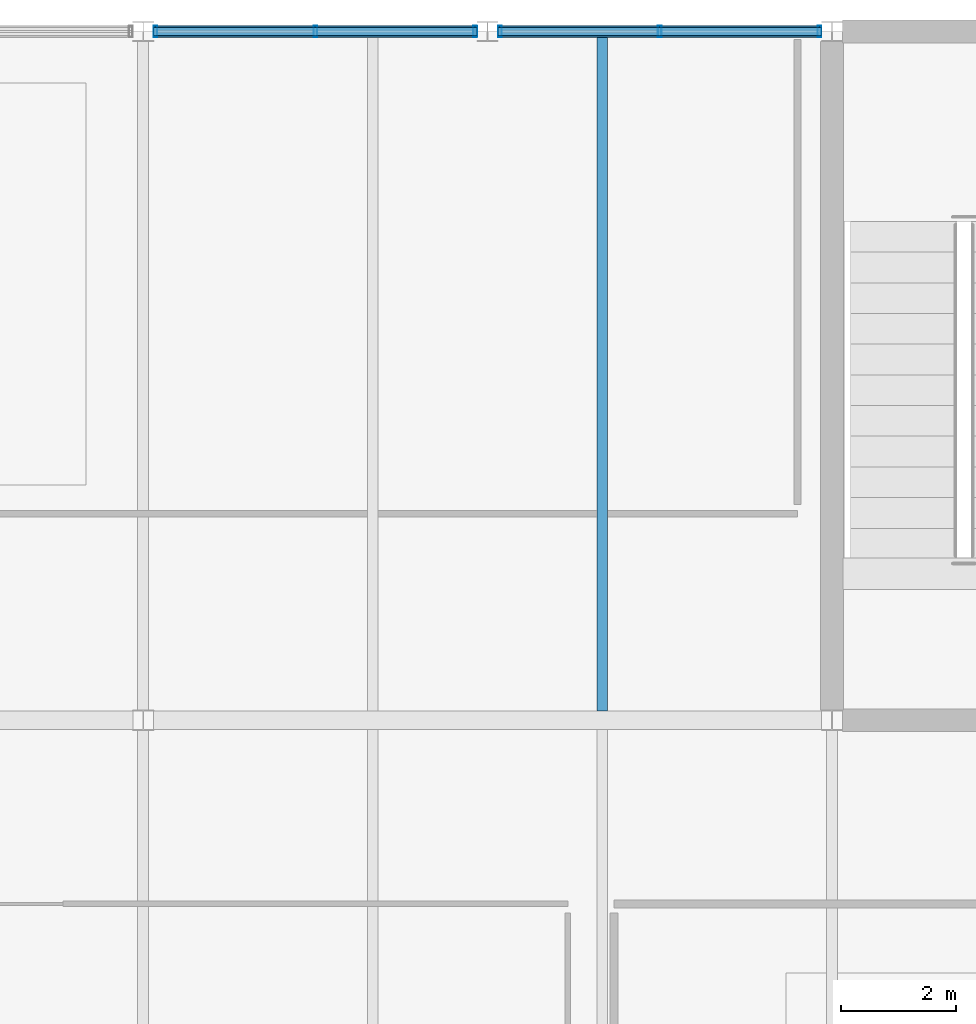
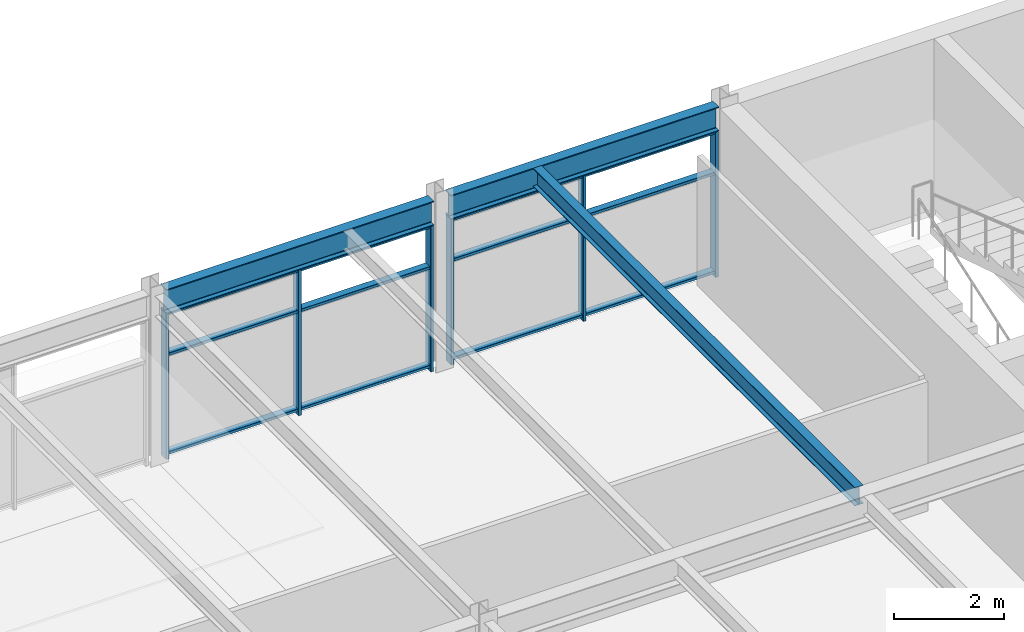
# One storey, part 17 of 23: 12 members, 3 beams, 2 elements without a shape of their own.
"""IFC4 building model written with IfcOpenShell, lengths in metres."""

import ifcopenshell
import ifcopenshell.guid

model = None  # the IFC model being written
_history = None  # IfcOwnerHistory: only IFC2X3 demands one
_inside = {}  # id of a spatial element -> (the spatial element, [elements in it])
_under = {}  # id of a project, library or spatial element -> (it, [spatial elements below it])
_declared = {}  # id of a project -> (the project, [libraries it declares])
_typed = {}  # id of a type object -> (the type object, [elements of that type])
_made_of = {}  # id of a material, layer set ... -> (it, [elements and type objects made of it])


def new_model(schema):
    """Start an empty IFC model of exactly this schema.

    Asked for "IFC4X3", IfcOpenShell would pick the latest addendum, in which some entities
    have other attributes; the version numbers below select the first issue.
    IFC2X3 requires an IfcOwnerHistory on every rooted entity: one is made here for all.
    """
    global model, _history
    if schema == "IFC4X3":
        model = ifcopenshell.file(schema_version=(4, 3, 0, 0))
    else:
        model = ifcopenshell.file(schema=schema)
    _inside.clear()
    _under.clear()
    _declared.clear()
    _typed.clear()
    _made_of.clear()
    _history = None
    if model.schema == "IFC2X3":
        org = make("IfcOrganization", Name="unknown")
        user = make(
            "IfcPersonAndOrganization",
            ThePerson=make("IfcPerson", FamilyName="unknown"),
            TheOrganization=org,
        )
        app = make(
            "IfcApplication",
            ApplicationDeveloper=org,
            Version="unknown",
            ApplicationFullName="unknown",
            ApplicationIdentifier="unknown",
        )
        _history = make(
            "IfcOwnerHistory",
            OwningUser=user,
            OwningApplication=app,
            ChangeAction="ADDED",
            CreationDate=0,
        )
    return model


def make(cls, **values):
    """One entity of the class cls with the attributes given. An attribute that is None is left unset."""
    return model.create_entity(
        cls, **{name: value for name, value in values.items() if value is not None}
    )


def rooted(cls, **values):
    """An entity with a GlobalId (a new one), such as an element, a storey or a relation."""
    return make(cls, GlobalId=ifcopenshell.guid.new(), OwnerHistory=_history, **values)


def si_unit(unit_type, name, prefix=None):
    """IfcSIUnit, for example si_unit("LENGTHUNIT", "METRE", prefix="MILLI")."""
    return make("IfcSIUnit", UnitType=unit_type, Prefix=prefix, Name=name)


def assignment(units):
    """IfcUnitAssignment: the units of a project."""
    return None if units is None else make("IfcUnitAssignment", Units=units)


def point(xyz):
    """IfcCartesianPoint."""
    return None if xyz is None else make("IfcCartesianPoint", Coordinates=xyz)


def direction(xyz):
    """IfcDirection."""
    return None if xyz is None else make("IfcDirection", DirectionRatios=xyz)


def frame(location, z_axis=None, x_axis=None):
    """IfcAxis2Placement3D, a coordinate frame: its origin and axes. An axis left out is left unset."""
    return make(
        "IfcAxis2Placement3D",
        Location=point(location),
        Axis=direction(z_axis),
        RefDirection=direction(x_axis),
    )


def frame_2d(location, x_axis=None):
    """IfcAxis2Placement2D, a coordinate frame in the plane: its origin and x axis."""
    return make(
        "IfcAxis2Placement2D", Location=point(location), RefDirection=direction(x_axis)
    )


def origin():
    """The frame at (0, 0, 0) with its axes left unset."""
    return frame((0.0, 0.0, 0.0))


def origin_2d():
    """The frame at (0, 0) in the plane with its x axis left unset."""
    return frame_2d((0.0, 0.0))


def place(relative_to, where):
    """IfcLocalPlacement: puts the frame where relative to a parent placement (None: the world)."""
    return make(
        "IfcLocalPlacement", PlacementRelTo=relative_to, RelativePlacement=where
    )


def context(
    kind, dimensions, precision=None, world=None, true_north=None, identifier=None
):
    """IfcGeometricRepresentationContext, for example the 3D "Model" context."""
    return make(
        "IfcGeometricRepresentationContext",
        ContextIdentifier=identifier,
        ContextType=kind,
        CoordinateSpaceDimension=dimensions,
        Precision=precision,
        WorldCoordinateSystem=world,
        TrueNorth=true_north,
    )


def subcontext(parent, identifier, kind, view, scale=None):
    """IfcGeometricRepresentationSubContext, for example "Body" below "Model"."""
    return make(
        "IfcGeometricRepresentationSubContext",
        ContextIdentifier=identifier,
        ContextType=kind,
        ParentContext=parent,
        TargetScale=scale,
        TargetView=view,
    )


def project(units=None, contexts=None):
    """IfcProject with its units and contexts."""
    return rooted(
        "IfcProject",
        Name="project",
        RepresentationContexts=contexts,
        UnitsInContext=assignment(units),
    )


def spatial(cls, under=None, at=None, **own):
    """A site, building, storey or space (cls), placed at a placement, below another one or the project."""
    s = rooted(cls, ObjectPlacement=at, **own)
    if under is not None:
        _under.setdefault(under.id(), (under, []))[1].append(s)
    return s


def profile(cls, at=None, kind="AREA", **sizes):
    """A parametric profile (cls). Its sizes go by their IFC names, for example OverallWidth=200.0."""
    return make(cls, ProfileType=kind, Position=at, **sizes)


def hollow_rectangle(**sizes):
    """IfcRectangleHollowProfileDef."""
    return profile("IfcRectangleHollowProfileDef", **sizes)


def i_section(**sizes):
    """IfcIShapeProfileDef."""
    return profile("IfcIShapeProfileDef", **sizes)


def extrude(swept, where, along, depth):
    """IfcExtrudedAreaSolid: the profile swept, set in the frame where, extruded along a direction by depth."""
    return make(
        "IfcExtrudedAreaSolid",
        SweptArea=swept,
        Position=where,
        ExtrudedDirection=direction(along),
        Depth=depth,
    )


def shape(context_of_items, identifier, shape_type, items):
    """IfcShapeRepresentation: the items that make up one representation, for example the "Body"."""
    return make(
        "IfcShapeRepresentation",
        ContextOfItems=context_of_items,
        RepresentationIdentifier=identifier,
        RepresentationType=shape_type,
        Items=items,
    )


def material(Name=None, Category=None):
    """IfcMaterial."""
    return make("IfcMaterial", Name=Name, Category=Category)


def material_profile(
    of_material, cross_section, Name=None, Category=None, Priority=None
):
    """IfcMaterialProfile: a cross section and its material."""
    return make(
        "IfcMaterialProfile",
        Name=Name,
        Material=of_material,
        Profile=cross_section,
        Priority=Priority,
        Category=Category,
    )


def profile_set(profiles, Name=None, composite=None):
    """IfcMaterialProfileSet."""
    return make(
        "IfcMaterialProfileSet",
        Name=Name,
        MaterialProfiles=profiles,
        CompositeProfile=composite,
    )


def made_of(thing, what):
    """Note that an element or type object is made of a material, layer set ...; save() writes the relation."""
    if what is not None:
        _made_of.setdefault(what.id(), (what, []))[1].append(thing)
    return thing


def type_object(cls, material=None, **own):
    """A type object (cls), such as IfcWallType, which elements share."""
    return made_of(rooted(cls, **own), material)


def element(
    cls,
    number,
    at=None,
    inside=None,
    cuts=None,
    type_object=None,
    material=None,
    context=None,
    identifier="Body",
    shape_type=None,
    held_by="IfcProductDefinitionShape",
    body=None,
    shapes=None,
    **own,
):
    """One element of the class cls, such as IfcWall. Its Tag is "e" and its number.

    at: its placement. inside: the storey or other place that contains it. cuts: it is an
    opening in that element (IfcRelVoidsElement). A single representation is given by context,
    identifier, shape_type and body (its items); several are given by shapes. held_by: the class
    of the entity that holds the representations. save() writes the other relations.
    """
    e = rooted(cls, Tag="e%d" % number, ObjectPlacement=at, **own)
    if body is not None:
        shapes = [shape(context, identifier, shape_type, body)]
    if shapes is not None:
        e.Representation = make(held_by, Representations=shapes)
    if inside is not None:
        _inside.setdefault(inside.id(), (inside, []))[1].append(e)
    if cuts is not None:
        rooted(
            "IfcRelVoidsElement", RelatingBuildingElement=cuts, RelatedOpeningElement=e
        )
    if type_object is not None:
        _typed.setdefault(type_object.id(), (type_object, []))[1].append(e)
    return made_of(e, material)


def aggregate(whole, parts):
    """IfcRelAggregates: a whole, such as a stair, and the parts it consists of."""
    return rooted("IfcRelAggregates", RelatingObject=whole, RelatedObjects=parts)


def save(model, path):
    """Write the relations noted so far, then the file.

    IfcRelAggregates (storeys below a building ...), IfcRelContainedInSpatialStructure (elements
    in a storey), IfcRelDefinesByType, IfcRelAssociatesMaterial and IfcRelDeclares: one each for
    every whole, place, type object, material and project.
    """
    for whole, parts in _under.values():
        aggregate(whole, parts)
    for where, things in _inside.values():
        rooted(
            "IfcRelContainedInSpatialStructure",
            RelatedElements=things,
            RelatingStructure=where,
        )
    for kind, things in _typed.values():
        rooted("IfcRelDefinesByType", RelatedObjects=things, RelatingType=kind)
    for what, things in _made_of.values():
        rooted("IfcRelAssociatesMaterial", RelatedObjects=things, RelatingMaterial=what)
    for by, libraries in _declared.values():
        rooted("IfcRelDeclares", RelatingContext=by, RelatedDefinitions=libraries)
    model.write(path)


model = new_model("IFC4")

# Units and contexts
model_context = context("Model", 3, precision=1e-05, world=origin(), true_north=direction((0.0, 1.0)))
body_context = subcontext(model_context, "Body", "Model", "MODEL_VIEW")
ifc_project = project(units=[si_unit("LENGTHUNIT", "METRE"), si_unit("AREAUNIT", "SQUARE_METRE"), si_unit("VOLUMEUNIT", "CUBIC_METRE"), si_unit("PLANEANGLEUNIT", "RADIAN"), si_unit("MASSUNIT", "GRAM", prefix="KILO")], contexts=[model_context])

# Site, building, storey
site_placement = place(None, origin())
site = spatial("IfcSite", under=ifc_project, at=site_placement, CompositionType="ELEMENT")
building_placement = place(site_placement, origin())
building = spatial("IfcBuilding", under=site, at=building_placement, Name="Girod Span Mobility Hub", CompositionType="ELEMENT")
storey_placement = place(building_placement, frame((0.0, 0.0, 65.60009765625)))
storey = spatial("IfcBuildingStorey", under=building, at=storey_placement, Name="L16", CompositionType="ELEMENT", Elevation=65.60009765625)

# Beams
ifc_material_1 = material(Name="Steel A992 Grade 50", Category="steel")
ifc_material_profile_1 = material_profile(ifc_material_1, i_section(OverallWidth=0.178955078125, OverallDepth=0.409912109375, WebThickness=0.0087890625, FlangeThickness=0.014404296875, FilletRadius=0.012939453125, at=origin_2d()), Name="W16X45")
ifc_profile_set_1 = profile_set([ifc_material_profile_1], Name="Steel A992 Grade 50")
beam_type_1 = type_object("IfcBeamType", Name="BM-STL-W16X45", PredefinedType="BEAM", material=ifc_profile_set_1)
beam_placement = place(storey_placement, frame((104.0, 57.158935546875, 3.5849609375), z_axis=(0.0, 1.0, 0.0), x_axis=(-1.0, 0.0, 0.0)))
element("IfcBeam", 1, at=beam_placement, inside=storey, type_object=beam_type_1, Name="Composite Floorbeam 9/E-2 L16", PredefinedType="BEAM", context=body_context, shape_type="SweptSolid", body=[
    extrude(i_section(OverallWidth=0.178955078125, OverallDepth=0.409912109375, WebThickness=0.0087890625, FlangeThickness=0.014404296875, FilletRadius=0.012939453125, at=origin_2d()), origin(), (0.0, 0.0, 1.0), 11.738037109375),
])
ifc_material_2 = material(Name="Steel A992 Grade 50", Category="steel")
ifc_material_profile_2 = material_profile(ifc_material_2, i_section(OverallWidth=0.2119140625, OverallDepth=0.5439453125, WebThickness=0.01318359375, FlangeThickness=0.021240234375, FilletRadius=0.014892578125, at=origin_2d()), Name="W21X83")
ifc_profile_set_2 = profile_set([ifc_material_profile_2], Name="Steel A992 Grade 50")
beam_type_2 = type_object("IfcBeamType", Name="BM-STL-W21X83", PredefinedType="SPANDREL", material=ifc_profile_set_2)
for number, where, z_axis, x_axis, name in (
    (2, (96.181396484375, 69.0, 3.517822265625), (1.0, 0.0, 0.0), (0.0, 1.0, 0.0), "Spandrel Beam 9-10/F-W L16"),
    (3, (102.181396484375, 69.0, 3.517822265625), (1.0, 0.0, 0.0), (0.0, 1.0, 0.0), "Spandrel Beam 9-10/F-E L16"),
):
    element("IfcBeam", number, at=place(storey_placement, frame(where, z_axis=z_axis, x_axis=x_axis)), inside=storey, type_object=beam_type_2, Name=name, PredefinedType="SPANDREL", context=body_context, shape_type="SweptSolid", body=[
        extrude(i_section(OverallWidth=0.2119140625, OverallDepth=0.5439453125, WebThickness=0.01318359375, FlangeThickness=0.021240234375, FilletRadius=0.014892578125, at=origin_2d()), origin(), (0.0, 0.0, 1.0), 5.63720703125),
    ])

# Curtain wall, members
ifc_material_3 = material(Name="Thermally Broken Anodised Aluminium", Category="aluminium")
curtain_wall_type = type_object("IfcCurtainWallType", Name="CW-564X325", PredefinedType="USERDEFINED", material=ifc_material_3)
curtain_wall_1_placement = place(storey_placement, origin())
curtain_wall_1 = element("IfcCurtainWall", 4, at=curtain_wall_1_placement, inside=storey, type_object=curtain_wall_type, Name="Unitised Curtain Wall CW-L16-N09W L16", ObjectType="UNITISED CURTAIN WALL", PredefinedType="USERDEFINED")
ifc_material_4 = material(Name="Thermally Broken Anodised Aluminium", Category="aluminium")
ifc_material_profile_3 = material_profile(ifc_material_4, hollow_rectangle(XDim=0.199951171875, YDim=0.06494140625, WallThickness=0.00390625, InnerFilletRadius=0.00390625, OuterFilletRadius=0.008056640625, at=origin_2d()), Name="CW-ML-65X200")
ifc_profile_set_3 = profile_set([ifc_material_profile_3], Name="Thermally Broken Anodised Aluminium")
member_type_1 = type_object("IfcMemberType", Name="CWM-ML-1", PredefinedType="MULLION", material=ifc_profile_set_3)
member_1_placement = place(storey_placement, frame((96.214599609375, 69.0, 0.0), z_axis=(0.0, 0.0, 1.0), x_axis=(0.0, 1.0, 0.0)))
member_1 = element("IfcMember", 5, at=member_1_placement, type_object=member_type_1, Name="Curtain Wall Mullion CW-L16-N09W-M0", PredefinedType="MULLION", context=body_context, shape_type="SweptSolid", body=[
    extrude(hollow_rectangle(XDim=0.199951171875, YDim=0.06494140625, WallThickness=0.00390625, InnerFilletRadius=0.00390625, OuterFilletRadius=0.008056640625, at=origin_2d()), origin(), (0.0, 0.0, 1.0), 3.245849609375),
])
member_2_placement = place(storey_placement, frame((99.0, 69.0, 0.0), z_axis=(0.0, 0.0, 1.0), x_axis=(0.0, 1.0, 0.0)))
member_2 = element("IfcMember", 6, at=member_2_placement, type_object=member_type_1, Name="Curtain Wall Mullion CW-L16-N09W-M1", PredefinedType="MULLION", context=body_context, shape_type="SweptSolid", body=[
    extrude(hollow_rectangle(XDim=0.199951171875, YDim=0.06494140625, WallThickness=0.00390625, InnerFilletRadius=0.00390625, OuterFilletRadius=0.008056640625, at=origin_2d()), origin(), (0.0, 0.0, 1.0), 3.245849609375),
])
member_3_placement = place(storey_placement, frame((101.785400390625, 69.0, 0.0), z_axis=(0.0, 0.0, 1.0), x_axis=(0.0, 1.0, 0.0)))
member_3 = element("IfcMember", 7, at=member_3_placement, type_object=member_type_1, Name="Curtain Wall Mullion CW-L16-N09W-M2", PredefinedType="MULLION", context=body_context, shape_type="SweptSolid", body=[
    extrude(hollow_rectangle(XDim=0.199951171875, YDim=0.06494140625, WallThickness=0.00390625, InnerFilletRadius=0.00390625, OuterFilletRadius=0.008056640625, at=origin_2d()), origin(), (0.0, 0.0, 1.0), 3.245849609375),
])

curtain_wall_2_placement = place(storey_placement, origin())
curtain_wall_2 = element("IfcCurtainWall", 8, at=curtain_wall_2_placement, inside=storey, type_object=curtain_wall_type, Name="Unitised Curtain Wall CW-L16-N09E L16", ObjectType="UNITISED CURTAIN WALL", PredefinedType="USERDEFINED")
member_4_placement = place(storey_placement, frame((102.214599609375, 69.0, 0.0), z_axis=(0.0, 0.0, 1.0), x_axis=(0.0, 1.0, 0.0)))
member_4 = element("IfcMember", 9, at=member_4_placement, type_object=member_type_1, Name="Curtain Wall Mullion CW-L16-N09E-M0", PredefinedType="MULLION", context=body_context, shape_type="SweptSolid", body=[
    extrude(hollow_rectangle(XDim=0.199951171875, YDim=0.06494140625, WallThickness=0.00390625, InnerFilletRadius=0.00390625, OuterFilletRadius=0.008056640625, at=origin_2d()), origin(), (0.0, 0.0, 1.0), 3.245849609375),
])
member_5_placement = place(storey_placement, frame((105.0, 69.0, 0.0), z_axis=(0.0, 0.0, 1.0), x_axis=(0.0, 1.0, 0.0)))
member_5 = element("IfcMember", 10, at=member_5_placement, type_object=member_type_1, Name="Curtain Wall Mullion CW-L16-N09E-M1", PredefinedType="MULLION", context=body_context, shape_type="SweptSolid", body=[
    extrude(hollow_rectangle(XDim=0.199951171875, YDim=0.06494140625, WallThickness=0.00390625, InnerFilletRadius=0.00390625, OuterFilletRadius=0.008056640625, at=origin_2d()), origin(), (0.0, 0.0, 1.0), 3.245849609375),
])
member_6_placement = place(storey_placement, frame((107.785400390625, 69.0, 0.0), z_axis=(0.0, 0.0, 1.0), x_axis=(0.0, 1.0, 0.0)))
member_6 = element("IfcMember", 11, at=member_6_placement, type_object=member_type_1, Name="Curtain Wall Mullion CW-L16-N09E-M2", PredefinedType="MULLION", context=body_context, shape_type="SweptSolid", body=[
    extrude(hollow_rectangle(XDim=0.199951171875, YDim=0.06494140625, WallThickness=0.00390625, InnerFilletRadius=0.00390625, OuterFilletRadius=0.008056640625, at=origin_2d()), origin(), (0.0, 0.0, 1.0), 3.245849609375),
])

# Member
ifc_material_5 = material(Name="Thermally Broken Anodised Aluminium", Category="aluminium")
ifc_material_profile_4 = material_profile(ifc_material_5, hollow_rectangle(XDim=0.14990234375, YDim=0.06494140625, WallThickness=0.00390625, InnerFilletRadius=0.00390625, OuterFilletRadius=0.008056640625, at=origin_2d()), Name="CW-TR-65X150")
ifc_profile_set_4 = profile_set([ifc_material_profile_4], Name="Thermally Broken Anodised Aluminium")
member_type_2 = type_object("IfcMemberType", Name="CWM-TR-1", PredefinedType="USERDEFINED", material=ifc_profile_set_4)
member_7_placement = place(storey_placement, frame((96.1826171875, 69.0, 0.107421875), z_axis=(1.0, 0.0, 0.0), x_axis=(0.0, 1.0, 0.0)))
member_7 = element("IfcMember", 12, at=member_7_placement, type_object=member_type_2, Name="Curtain Wall Transom CW-L16-N09W-T1", ObjectType="TRANSOM", PredefinedType="USERDEFINED", context=body_context, shape_type="SweptSolid", body=[
    extrude(hollow_rectangle(XDim=0.14990234375, YDim=0.06494140625, WallThickness=0.00390625, InnerFilletRadius=0.00390625, OuterFilletRadius=0.008056640625, at=origin_2d()), origin(), (0.0, 0.0, 1.0), 5.634765625),
])

member_8_placement = place(storey_placement, frame((96.1826171875, 69.0, 2.304443359375), z_axis=(1.0, 0.0, 0.0), x_axis=(0.0, 1.0, 0.0)))
member_8 = element("IfcMember", 13, at=member_8_placement, type_object=member_type_2, Name="Curtain Wall Transom CW-L16-N09W-T2", ObjectType="TRANSOM", PredefinedType="USERDEFINED", context=body_context, shape_type="SweptSolid", body=[
    extrude(hollow_rectangle(XDim=0.14990234375, YDim=0.06494140625, WallThickness=0.00390625, InnerFilletRadius=0.00390625, OuterFilletRadius=0.008056640625, at=origin_2d()), origin(), (0.0, 0.0, 1.0), 5.634765625),
])

member_9_placement = place(storey_placement, frame((96.1826171875, 69.0, 3.21337890625), z_axis=(1.0, 0.0, 0.0), x_axis=(0.0, 1.0, 0.0)))
member_9 = element("IfcMember", 14, at=member_9_placement, type_object=member_type_2, Name="Curtain Wall Transom CW-L16-N09W-T3", ObjectType="TRANSOM", PredefinedType="USERDEFINED", context=body_context, shape_type="SweptSolid", body=[
    extrude(hollow_rectangle(XDim=0.14990234375, YDim=0.06494140625, WallThickness=0.00390625, InnerFilletRadius=0.00390625, OuterFilletRadius=0.008056640625, at=origin_2d()), origin(), (0.0, 0.0, 1.0), 5.634765625),
])

aggregate(curtain_wall_1, [member_1, member_2, member_3, member_7, member_8, member_9])

member_10_placement = place(storey_placement, frame((102.1826171875, 69.0, 0.107421875), z_axis=(1.0, 0.0, 0.0), x_axis=(0.0, 1.0, 0.0)))
member_10 = element("IfcMember", 15, at=member_10_placement, type_object=member_type_2, Name="Curtain Wall Transom CW-L16-N09E-T1", ObjectType="TRANSOM", PredefinedType="USERDEFINED", context=body_context, shape_type="SweptSolid", body=[
    extrude(hollow_rectangle(XDim=0.14990234375, YDim=0.06494140625, WallThickness=0.00390625, InnerFilletRadius=0.00390625, OuterFilletRadius=0.008056640625, at=origin_2d()), origin(), (0.0, 0.0, 1.0), 5.634765625),
])

member_11_placement = place(storey_placement, frame((102.1826171875, 69.0, 2.304443359375), z_axis=(1.0, 0.0, 0.0), x_axis=(0.0, 1.0, 0.0)))
member_11 = element("IfcMember", 16, at=member_11_placement, type_object=member_type_2, Name="Curtain Wall Transom CW-L16-N09E-T2", ObjectType="TRANSOM", PredefinedType="USERDEFINED", context=body_context, shape_type="SweptSolid", body=[
    extrude(hollow_rectangle(XDim=0.14990234375, YDim=0.06494140625, WallThickness=0.00390625, InnerFilletRadius=0.00390625, OuterFilletRadius=0.008056640625, at=origin_2d()), origin(), (0.0, 0.0, 1.0), 5.634765625),
])

member_12_placement = place(storey_placement, frame((102.1826171875, 69.0, 3.21337890625), z_axis=(1.0, 0.0, 0.0), x_axis=(0.0, 1.0, 0.0)))
member_12 = element("IfcMember", 17, at=member_12_placement, type_object=member_type_2, Name="Curtain Wall Transom CW-L16-N09E-T3", ObjectType="TRANSOM", PredefinedType="USERDEFINED", context=body_context, shape_type="SweptSolid", body=[
    extrude(hollow_rectangle(XDim=0.14990234375, YDim=0.06494140625, WallThickness=0.00390625, InnerFilletRadius=0.00390625, OuterFilletRadius=0.008056640625, at=origin_2d()), origin(), (0.0, 0.0, 1.0), 5.634765625),
])

aggregate(curtain_wall_2, [member_4, member_5, member_6, member_10, member_11, member_12])

save(model, "model.ifc")
